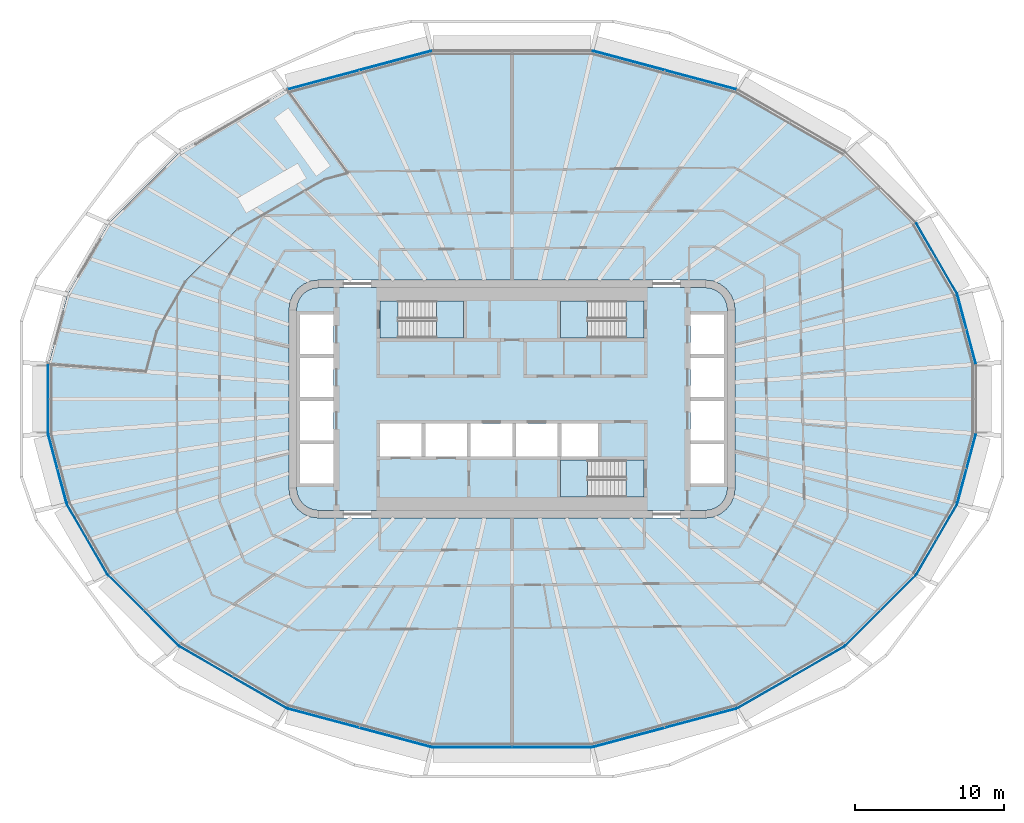
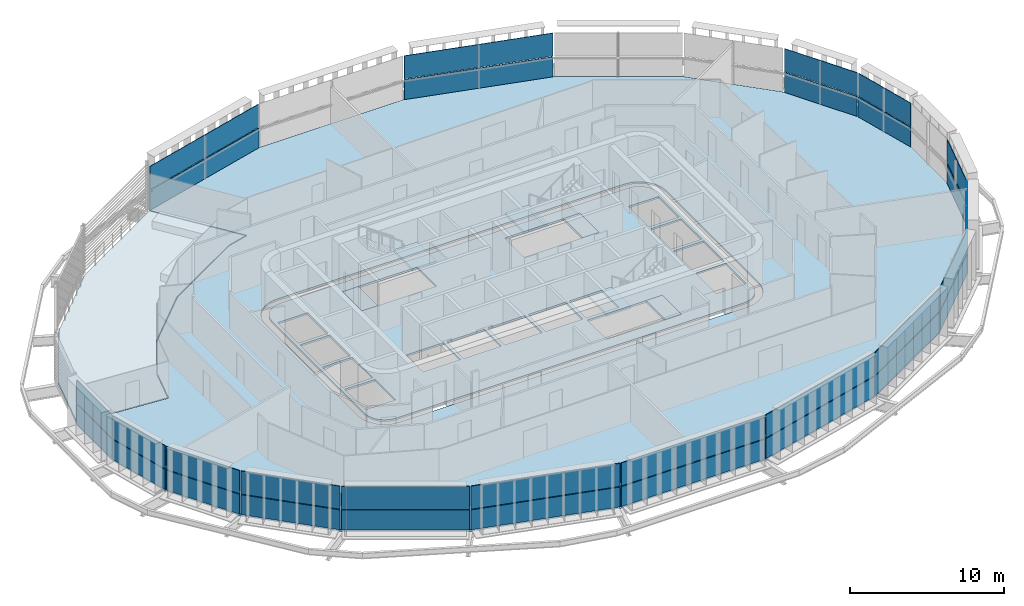
# One storey, part 10 of 23: 32 plates, 9 slabs, 19 elements without a shape of their own.
"""IFC4 building model written with IfcOpenShell, lengths in metres."""

from ifc_helpers import new_model, si_unit, direction, frame, origin, place, context, subcontext, project, spatial, polyline, outline, extrude, material, layer, layer_set, type_object, element, aggregate, save


model = new_model("IFC4")

# Units and contexts
model_context = context("Model", 3, precision=1e-05, world=origin(), true_north=direction((0.0, 1.0)))
body_context = subcontext(model_context, "Body", "Model", "MODEL_VIEW")
ifc_project = project(units=[si_unit("LENGTHUNIT", "METRE"), si_unit("AREAUNIT", "SQUARE_METRE"), si_unit("VOLUMEUNIT", "CUBIC_METRE"), si_unit("PLANEANGLEUNIT", "RADIAN"), si_unit("MASSUNIT", "GRAM", prefix="KILO")], contexts=[model_context])

# Site, building, storey
site_placement = place(None, origin())
site = spatial("IfcSite", under=ifc_project, at=site_placement, CompositionType="ELEMENT")
building_placement = place(site_placement, origin())
building = spatial("IfcBuilding", under=site, at=building_placement, Name="Sahrelin Media Tower", CompositionType="ELEMENT")
storey_placement = place(building_placement, frame((0.0, 0.0, 169.60009765625)))
storey = spatial("IfcBuildingStorey", under=building, at=storey_placement, Name="L35", CompositionType="ELEMENT", Elevation=169.60009765625)

# Slabs
ifc_material_1 = material(Name="Concrete C40/50", Category="concrete")
ifc_layer_1 = layer(ifc_material_1, 0.14990234375)
ifc_layer_set_1 = layer_set([ifc_layer_1], Name="Composite floor slab 150")
slab_type_1 = type_object("IfcSlabType", Name="Composite floor slab 150", PredefinedType="FLOOR", material=ifc_layer_set_1)
placement_1 = place(storey_placement, frame((0.0, 0.0, -0.150146484375)))
element("IfcSlab", 1, at=placement_1, inside=storey, type_object=slab_type_1, Name="Floor slab L35", PredefinedType="FLOOR", context=body_context, shape_type="SweptSolid", body=[
    extrude(outline(polyline([(29.935302734375, -7.037109375), (31.196533203125, -2.329833984375), (31.196533203125, 2.329833984375), (29.935302734375, 7.037109375), (27.162353515625, 11.839599609375), (22.397705078125, 16.604248046875), (15.124267578125, 20.8037109375), (5.40283203125, 23.408447265625), (-5.40283203125, 23.408447265625), (-15.119384765625, 20.804931640625), (-11.038818359375, 15.189697265625), (-12.623046875, 14.76513671875), (-18.4189453125, 11.4189453125), (-21.97705078125, 7.86083984375), (-23.89697265625, 4.535888671875), (-24.619384765625, 1.839599609375), (-31.1962890625, 2.330810546875), (-31.196533203125, 2.329833984375), (-31.196533203125, -2.329833984375), (-29.935302734375, -7.037109375), (-27.162353515625, -11.839599609375), (-22.397705078125, -16.604248046875), (-15.124267578125, -20.8037109375), (-5.40283203125, -23.408447265625), (5.40283203125, -23.408447265625), (15.124267578125, -20.8037109375), (22.397705078125, -16.604248046875), (27.162353515625, -11.839599609375), (29.935302734375, -7.037109375)]), holes=[polyline([(14.732177734375, 7.0), (14.931884765625, 6.517578125), (15.0, 6.0), (15.0, -6.0), (14.931884765625, -6.517578125), (14.732177734375, -7.0), (14.414306640625, -7.414306640625), (14.0, -7.732177734375), (13.517578125, -7.931884765625), (13.0, -8.0), (-13.0, -8.0), (-13.517578125, -7.931884765625), (-14.0, -7.732177734375), (-14.414306640625, -7.414306640625), (-14.732177734375, -7.0), (-14.931884765625, -6.517578125), (-15.0, -6.0), (-15.0, 6.0), (-14.931884765625, 6.517578125), (-14.732177734375, 7.0), (-14.414306640625, 7.414306640625), (-14.0, 7.732177734375), (-13.517578125, 7.931884765625), (-13.0, 8.0), (13.0, 8.0), (13.517578125, 7.931884765625), (14.0, 7.732177734375), (14.414306640625, 7.414306640625), (14.732177734375, 7.0)])]), origin(), (0.0, 0.0, 1.0), 0.150146484375),
])
ifc_layer_2 = layer(ifc_material_1, 0.14990234375)
ifc_layer_set_2 = layer_set([ifc_layer_2], Name="Core floor slab 150")
slab_type_2 = type_object("IfcSlabType", Name="Core floor slab 150", PredefinedType="FLOOR", material=ifc_layer_set_2)
element("IfcSlab", 2, at=placement_1, inside=storey, type_object=slab_type_2, Name="Core floor", PredefinedType="FLOOR", context=body_context, shape_type="SweptSolid", body=[
    extrude(outline(polyline([(-14.44482421875, 6.38720703125), (-14.5, 5.96728515625), (-14.5, -5.96728515625), (-14.44482421875, -6.38720703125), (-14.29541015625, -6.747802734375), (-14.0576171875, -7.0576171875), (-13.747802734375, -7.29541015625), (-13.38720703125, -7.44482421875), (-12.96728515625, -7.5), (12.96728515625, -7.5), (13.38720703125, -7.44482421875), (13.747802734375, -7.29541015625), (14.0576171875, -7.0576171875), (14.29541015625, -6.747802734375), (14.44482421875, -6.38720703125), (14.5, -5.96728515625), (14.5, 5.96728515625), (14.44482421875, 6.38720703125), (14.29541015625, 6.747802734375), (14.0576171875, 7.0576171875), (13.747802734375, 7.29541015625), (13.38720703125, 7.44482421875), (12.96728515625, 7.5), (-12.96728515625, 7.5), (-13.38720703125, 7.44482421875), (-13.747802734375, 7.29541015625), (-14.0576171875, 7.0576171875), (-14.29541015625, 6.747802734375), (-14.44482421875, 6.38720703125)]), holes=[polyline([(-12.0, 3.02490234375), (-12.0, 5.675048828125), (-14.25, 5.675048828125), (-14.25, 3.02490234375), (-12.0, 3.02490234375)]), polyline([(-14.25, 0.125), (-12.0, 0.125), (-12.0, 2.77490234375), (-14.25, 2.77490234375), (-14.25, 0.125)]), polyline([(-14.25, -0.125), (-14.25, -2.77490234375), (-12.0, -2.77490234375), (-12.0, -0.125), (-14.25, -0.125)]), polyline([(-12.0, -3.02490234375), (-14.25, -3.02490234375), (-14.25, -5.675048828125), (-12.0, -5.675048828125), (-12.0, -3.02490234375)]), polyline([(14.25, 3.02490234375), (14.25, 5.675048828125), (12.0, 5.675048828125), (12.0, 3.02490234375), (14.25, 3.02490234375)]), polyline([(12.0, 0.125), (14.25, 0.125), (14.25, 2.77490234375), (12.0, 2.77490234375), (12.0, 0.125)]), polyline([(12.0, -0.125), (12.0, -2.77490234375), (14.25, -2.77490234375), (14.25, -0.125), (12.0, -0.125)]), polyline([(14.25, -3.02490234375), (12.0, -3.02490234375), (12.0, -5.675048828125), (14.25, -5.675048828125), (14.25, -3.02490234375)]), polyline([(-6.074951171875, -3.85009765625), (-6.074951171875, -1.64990234375), (-8.875, -1.64990234375), (-8.875, -3.85009765625), (-6.074951171875, -3.85009765625)]), polyline([(-5.824951171875, -3.85009765625), (-3.02490234375, -3.85009765625), (-3.02490234375, -1.64990234375), (-5.824951171875, -1.64990234375), (-5.824951171875, -3.85009765625)]), polyline([(-2.77490234375, -1.64990234375), (-2.77490234375, -3.85009765625), (0.02490234375, -3.85009765625), (0.02490234375, -1.64990234375), (-2.77490234375, -1.64990234375)]), polyline([(3.074951171875, -1.64990234375), (0.27490234375, -1.64990234375), (0.27490234375, -3.85009765625), (3.074951171875, -3.85009765625), (3.074951171875, -1.64990234375)]), polyline([(5.77490234375, -3.85009765625), (5.77490234375, -1.64990234375), (3.324951171875, -1.64990234375), (3.324951171875, -3.85009765625), (5.77490234375, -3.85009765625)]), polyline([(-8.875, 6.60009765625), (-8.875, 4.10009765625), (-3.27490234375, 4.10009765625), (-3.27490234375, 6.60009765625), (-8.875, 6.60009765625)]), polyline([(3.27490234375, 4.10009765625), (8.875, 4.10009765625), (8.875, 6.60009765625), (3.27490234375, 6.60009765625), (3.27490234375, 4.10009765625)]), polyline([(3.27490234375, -4.10009765625), (3.27490234375, -6.60009765625), (8.875, -6.60009765625), (8.875, -4.10009765625), (3.27490234375, -4.10009765625)])]), origin(), (0.0, 0.0, 1.0), 0.150146484375),
])

# Curtain wall, plate
ifc_material_2 = material(Name="Champagne anodised aluminium 6063-T6", Category="aluminium")
ifc_layer_3 = layer(ifc_material_2, 0.14990234375)
ifc_layer_set_3 = layer_set([ifc_layer_3], Name="Tower ribbon curtain wall")
curtain_wall_type = type_object("IfcCurtainWallType", Name="Tower ribbon curtain wall", PredefinedType="NOTDEFINED", material=ifc_layer_set_3)
curtain_wall_1_placement = place(storey_placement, frame((30.585205078125, 4.6884765625, 0.0), z_axis=(0.0, 0.0, 1.0), x_axis=(1.0, 0.0, 0.0)))
curtain_wall_1 = element("IfcCurtainWall", 3, at=curtain_wall_1_placement, inside=storey, type_object=curtain_wall_type, Name="L35:CW:L35-01", PredefinedType="NOTDEFINED")
ifc_material_3 = material(Name="Clear low-iron glazing", Category="glass")
ifc_layer_4 = layer(ifc_material_3, 0.0439453125)
ifc_layer_set_4 = layer_set([ifc_layer_4], Name="Glazing panel 44 mm CW1B")
plate_type_1 = type_object("IfcPlateType", Name="Glazing panel 44 mm CW1B", PredefinedType="CURTAIN_PANEL", material=ifc_layer_set_4)
plate_1_placement = place(storey_placement, frame((31.222900390625, 2.385986328125, 1.6298828125), z_axis=(0.965923877555, 0.258826317767, 0.0), x_axis=(-0.258826317767, 0.965923877555, 0.0)))
plate_1 = element("IfcPlate", 4, at=plate_1_placement, type_object=plate_type_1, Name="L35:CWP2:L35-01", PredefinedType="CURTAIN_PANEL", context=body_context, shape_type="SweptSolid", body=[
    extrude(outline(polyline([(0.0, 0.0), (4.778564453125, 0.0), (4.778564453125, 1.818603515625), (0.0, 1.818603515625), (0.0, 0.0)])), origin(), (0.0, 0.0, -1.0), 0.0439453125),
])

curtain_wall_2_placement = place(storey_placement, frame((28.566162109375, 9.4482421875, 0.0), z_axis=(0.0, 0.0, 1.0), x_axis=(1.0, 0.0, 0.0)))
curtain_wall_2 = element("IfcCurtainWall", 5, at=curtain_wall_2_placement, inside=storey, type_object=curtain_wall_type, Name="L35:CW:L35-02", PredefinedType="NOTDEFINED")
plate_2_placement = place(storey_placement, frame((29.9462890625, 7.097900390625, 1.6298828125), z_axis=(0.86601851515, 0.500011931275, 0.0), x_axis=(-0.500011931275, 0.86601851515, 0.0)))
plate_2 = element("IfcPlate", 6, at=plate_2_placement, type_object=plate_type_1, Name="L35:CWP2:L35-02", PredefinedType="CURTAIN_PANEL", context=body_context, shape_type="SweptSolid", body=[
    extrude(outline(polyline([(0.0, 0.0), (5.450927734375, 0.0), (5.450927734375, 1.818603515625), (0.0, 1.818603515625), (0.0, 0.0)])), origin(), (0.0, 0.0, -1.0), 0.0439453125),
])

curtain_wall_3_placement = place(storey_placement, frame((10.268798828125, 22.125244140625, 0.0), z_axis=(0.0, 0.0, 1.0), x_axis=(1.0, 0.0, 0.0)))
curtain_wall_3 = element("IfcCurtainWall", 7, at=curtain_wall_3_placement, inside=storey, type_object=curtain_wall_type, Name="L35:CW:L35-05", PredefinedType="NOTDEFINED")
plate_3_placement = place(storey_placement, frame((15.0888671875, 20.8544921875, 1.6298828125), z_axis=(0.258819320508, 0.965925752494, 0.0), x_axis=(-0.965925752494, 0.258819320508, 0.0)))
plate_3 = element("IfcPlate", 8, at=plate_3_placement, type_object=plate_type_1, Name="L35:CWP2:L35-05", PredefinedType="CURTAIN_PANEL", context=body_context, shape_type="SweptSolid", body=[
    extrude(outline(polyline([(0.0, 0.0), (9.969482421875, 0.0), (9.969482421875, 1.818603515625), (0.0, 1.818603515625), (0.0, 0.0)])), origin(), (0.0, 0.0, -1.0), 0.0439453125),
])

curtain_wall_4_placement = place(storey_placement, frame((-10.268798828125, 22.12548828125, 0.0), z_axis=(0.0, 0.0, 1.0), x_axis=(1.0, 0.0, 0.0)))
curtain_wall_4 = element("IfcCurtainWall", 9, at=curtain_wall_4_placement, inside=storey, type_object=curtain_wall_type, Name="L35:CW:L35-07", PredefinedType="NOTDEFINED")
plate_4_placement = place(storey_placement, frame((-5.458984375, 23.434814453125, 1.6298828125), z_axis=(-0.258819320508, 0.965925752494, 0.0), x_axis=(-0.965925752494, -0.258819320508, 0.0)))
plate_4 = element("IfcPlate", 10, at=plate_4_placement, type_object=plate_type_1, Name="L35:CWP2:L35-07", PredefinedType="CURTAIN_PANEL", context=body_context, shape_type="SweptSolid", body=[
    extrude(outline(polyline([(0.0, 0.0), (9.969482421875, 0.0), (9.969482421875, 1.818603515625), (0.0, 1.818603515625), (0.0, 0.0)])), origin(), (0.0, 0.0, -1.0), 0.0439453125),
])

curtain_wall_5_placement = place(storey_placement, frame((-31.216552734375, 0.0, 0.0), z_axis=(0.0, 0.0, 1.0), x_axis=(1.0, 0.0, 0.0)))
curtain_wall_5 = element("IfcCurtainWall", 11, at=curtain_wall_5_placement, inside=storey, type_object=curtain_wall_type, Name="L35:CW:L35-12", PredefinedType="NOTDEFINED")
plate_5_placement = place(storey_placement, frame((-31.236572265625, 2.282470703125, 1.6298828125), z_axis=(-1.0, 0.0, 0.0), x_axis=(0.0, -1.0, 0.0)))
plate_5 = element("IfcPlate", 12, at=plate_5_placement, type_object=plate_type_1, Name="L35:CWP2:L35-12", PredefinedType="CURTAIN_PANEL", context=body_context, shape_type="SweptSolid", body=[
    extrude(outline(polyline([(0.0, 0.0), (4.56494140625, 0.0), (4.56494140625, 1.818603515625), (0.0, 1.818603515625), (0.0, 0.0)])), origin(), (0.0, 0.0, -1.0), 0.0439453125),
])

curtain_wall_6_placement = place(storey_placement, frame((-30.585205078125, -4.6884765625, 0.0), z_axis=(0.0, 0.0, 1.0), x_axis=(1.0, 0.0, 0.0)))
curtain_wall_6 = element("IfcCurtainWall", 13, at=curtain_wall_6_placement, inside=storey, type_object=curtain_wall_type, Name="L35:CW:L35-13", PredefinedType="NOTDEFINED")
plate_6_placement = place(storey_placement, frame((-31.222900390625, -2.385986328125, 1.6298828125), z_axis=(-0.965923877555, -0.258826317767, 0.0), x_axis=(0.258826317767, -0.965923877555, 0.0)))
plate_6 = element("IfcPlate", 14, at=plate_6_placement, type_object=plate_type_1, Name="L35:CWP2:L35-13", PredefinedType="CURTAIN_PANEL", context=body_context, shape_type="SweptSolid", body=[
    extrude(outline(polyline([(0.0, 0.0), (4.778564453125, 0.0), (4.778564453125, 1.818603515625), (0.0, 1.818603515625), (0.0, 0.0)])), origin(), (0.0, 0.0, -1.0), 0.0439453125),
])

curtain_wall_7_placement = place(storey_placement, frame((-28.566162109375, -9.4482421875, 0.0), z_axis=(0.0, 0.0, 1.0), x_axis=(1.0, 0.0, 0.0)))
curtain_wall_7 = element("IfcCurtainWall", 15, at=curtain_wall_7_placement, inside=storey, type_object=curtain_wall_type, Name="L35:CW:L35-14", PredefinedType="NOTDEFINED")
plate_7_placement = place(storey_placement, frame((-29.9462890625, -7.097900390625, 1.6298828125), z_axis=(-0.86601851515, -0.500011931275, 0.0), x_axis=(0.500011931275, -0.86601851515, 0.0)))
plate_7 = element("IfcPlate", 16, at=plate_7_placement, type_object=plate_type_1, Name="L35:CWP2:L35-14", PredefinedType="CURTAIN_PANEL", context=body_context, shape_type="SweptSolid", body=[
    extrude(outline(polyline([(0.0, 0.0), (5.450927734375, 0.0), (5.450927734375, 1.818603515625), (0.0, 1.818603515625), (0.0, 0.0)])), origin(), (0.0, 0.0, -1.0), 0.0439453125),
])

curtain_wall_8_placement = place(storey_placement, frame((-24.794189453125, -14.236083984375, 0.0), z_axis=(0.0, 0.0, 1.0), x_axis=(1.0, 0.0, 0.0)))
curtain_wall_8 = element("IfcCurtainWall", 17, at=curtain_wall_8_placement, inside=storey, type_object=curtain_wall_type, Name="L35:CW:L35-15", PredefinedType="NOTDEFINED")
plate_8_placement = place(storey_placement, frame((-27.1572265625, -11.9013671875, 1.6298828125), z_axis=(-0.707106781187, -0.707106781187, 0.0), x_axis=(0.707106781187, -0.707106781187, 0.0)))
plate_8 = element("IfcPlate", 18, at=plate_8_placement, type_object=plate_type_1, Name="L35:CWP2:L35-15", PredefinedType="CURTAIN_PANEL", context=body_context, shape_type="SweptSolid", body=[
    extrude(outline(polyline([(0.0, 0.0), (6.6435546875, 0.0), (6.6435546875, 1.818603515625), (0.0, 1.818603515625), (0.0, 0.0)])), origin(), (0.0, 0.0, -1.0), 0.0439453125),
])

curtain_wall_9_placement = place(storey_placement, frame((-18.77099609375, -18.72119140625, 0.0), z_axis=(0.0, 0.0, 1.0), x_axis=(1.0, 0.0, 0.0)))
curtain_wall_9 = element("IfcCurtainWall", 19, at=curtain_wall_9_placement, inside=storey, type_object=curtain_wall_type, Name="L35:CW:L35-16", PredefinedType="NOTDEFINED")
plate_9_placement = place(storey_placement, frame((-22.376708984375, -16.66259765625, 1.6298828125), z_axis=(-0.499990528583, -0.866030872041, 0.0), x_axis=(0.866030872041, -0.499990528583, 0.0)))
plate_9 = element("IfcPlate", 20, at=plate_9_placement, type_object=plate_type_1, Name="L35:CWP2:L35-16", PredefinedType="CURTAIN_PANEL", context=body_context, shape_type="SweptSolid", body=[
    extrude(outline(polyline([(0.0, 0.0), (8.303955078125, 0.0), (8.303955078125, 1.818603515625), (0.0, 1.818603515625), (0.0, 0.0)])), origin(), (0.0, 0.0, -1.0), 0.0439453125),
])

curtain_wall_10_placement = place(storey_placement, frame((-10.268798828125, -22.125244140625, 0.0), z_axis=(0.0, 0.0, 1.0), x_axis=(1.0, 0.0, 0.0)))
curtain_wall_10 = element("IfcCurtainWall", 21, at=curtain_wall_10_placement, inside=storey, type_object=curtain_wall_type, Name="L35:CW:L35-17", PredefinedType="NOTDEFINED")
plate_10_placement = place(storey_placement, frame((-15.0888671875, -20.8544921875, 1.6298828125), z_axis=(-0.258819320508, -0.965925752494, 0.0), x_axis=(0.965925752494, -0.258819320508, 0.0)))
plate_10 = element("IfcPlate", 22, at=plate_10_placement, type_object=plate_type_1, Name="L35:CWP2:L35-17", PredefinedType="CURTAIN_PANEL", context=body_context, shape_type="SweptSolid", body=[
    extrude(outline(polyline([(0.0, 0.0), (9.969482421875, 0.0), (9.969482421875, 1.818603515625), (0.0, 1.818603515625), (0.0, 0.0)])), origin(), (0.0, 0.0, -1.0), 0.0439453125),
])

curtain_wall_11_placement = place(storey_placement, frame((0.0, -23.428466796875, 0.0), z_axis=(0.0, 0.0, 1.0), x_axis=(1.0, 0.0, 0.0)))
curtain_wall_11 = element("IfcCurtainWall", 23, at=curtain_wall_11_placement, inside=storey, type_object=curtain_wall_type, Name="L35:CW:L35-18", PredefinedType="NOTDEFINED")
plate_11_placement = place(storey_placement, frame((-5.35546875, -23.448486328125, 1.6298828125), z_axis=(0.0, -1.0, 0.0), x_axis=(1.0, 0.0, 0.0)))
plate_11 = element("IfcPlate", 24, at=plate_11_placement, type_object=plate_type_1, Name="L35:CWP2:L35-18", PredefinedType="CURTAIN_PANEL", context=body_context, shape_type="SweptSolid", body=[
    extrude(outline(polyline([(0.0, 0.0), (10.7109375, 0.0), (10.7109375, 1.818603515625), (0.0, 1.818603515625), (0.0, 0.0)])), origin(), (0.0, 0.0, -1.0), 0.0439453125),
])

curtain_wall_12_placement = place(storey_placement, frame((10.268798828125, -22.12548828125, 0.0), z_axis=(0.0, 0.0, 1.0), x_axis=(1.0, 0.0, 0.0)))
curtain_wall_12 = element("IfcCurtainWall", 25, at=curtain_wall_12_placement, inside=storey, type_object=curtain_wall_type, Name="L35:CW:L35-19", PredefinedType="NOTDEFINED")
plate_12_placement = place(storey_placement, frame((5.458984375, -23.434814453125, 1.6298828125), z_axis=(0.258819320508, -0.965925752494, 0.0), x_axis=(0.965925752494, 0.258819320508, 0.0)))
plate_12 = element("IfcPlate", 26, at=plate_12_placement, type_object=plate_type_1, Name="L35:CWP2:L35-19", PredefinedType="CURTAIN_PANEL", context=body_context, shape_type="SweptSolid", body=[
    extrude(outline(polyline([(0.0, 0.0), (9.969482421875, 0.0), (9.969482421875, 1.818603515625), (0.0, 1.818603515625), (0.0, 0.0)])), origin(), (0.0, 0.0, -1.0), 0.0439453125),
])

curtain_wall_13_placement = place(storey_placement, frame((18.77099609375, -18.72119140625, 0.0), z_axis=(0.0, 0.0, 1.0), x_axis=(1.0, 0.0, 0.0)))
curtain_wall_13 = element("IfcCurtainWall", 27, at=curtain_wall_13_placement, inside=storey, type_object=curtain_wall_type, Name="L35:CW:L35-20", PredefinedType="NOTDEFINED")
plate_13_placement = place(storey_placement, frame((15.185302734375, -20.814453125, 1.6298828125), z_axis=(0.499990528583, -0.866030872041, 0.0), x_axis=(0.866030872041, 0.499990528583, 0.0)))
plate_13 = element("IfcPlate", 28, at=plate_13_placement, type_object=plate_type_1, Name="L35:CWP2:L35-20", PredefinedType="CURTAIN_PANEL", context=body_context, shape_type="SweptSolid", body=[
    extrude(outline(polyline([(0.0, 0.0), (8.303955078125, 0.0), (8.303955078125, 1.818603515625), (0.0, 1.818603515625), (0.0, 0.0)])), origin(), (0.0, 0.0, -1.0), 0.0439453125),
])

curtain_wall_14_placement = place(storey_placement, frame((24.794189453125, -14.236083984375, 0.0), z_axis=(0.0, 0.0, 1.0), x_axis=(1.0, 0.0, 0.0)))
curtain_wall_14 = element("IfcCurtainWall", 29, at=curtain_wall_14_placement, inside=storey, type_object=curtain_wall_type, Name="L35:CW:L35-21", PredefinedType="NOTDEFINED")
plate_14_placement = place(storey_placement, frame((22.45947265625, -16.59912109375, 1.6298828125), z_axis=(0.707106781187, -0.707106781187, 0.0), x_axis=(0.707106781187, 0.707106781187, 0.0)))
plate_14 = element("IfcPlate", 30, at=plate_14_placement, type_object=plate_type_1, Name="L35:CWP2:L35-21", PredefinedType="CURTAIN_PANEL", context=body_context, shape_type="SweptSolid", body=[
    extrude(outline(polyline([(0.0, 0.0), (6.6435546875, 0.0), (6.6435546875, 1.818603515625), (0.0, 1.818603515625), (0.0, 0.0)])), origin(), (0.0, 0.0, -1.0), 0.0439453125),
])

curtain_wall_15_placement = place(storey_placement, frame((28.566162109375, -9.4482421875, 0.0), z_axis=(0.0, 0.0, 1.0), x_axis=(1.0, 0.0, 0.0)))
curtain_wall_15 = element("IfcCurtainWall", 31, at=curtain_wall_15_placement, inside=storey, type_object=curtain_wall_type, Name="L35:CW:L35-22", PredefinedType="NOTDEFINED")
plate_15_placement = place(storey_placement, frame((27.220703125, -11.818603515625, 1.6298828125), z_axis=(0.86601851515, -0.500011931275, 0.0), x_axis=(0.500011931275, 0.86601851515, 0.0)))
plate_15 = element("IfcPlate", 32, at=plate_15_placement, type_object=plate_type_1, Name="L35:CWP2:L35-22", PredefinedType="CURTAIN_PANEL", context=body_context, shape_type="SweptSolid", body=[
    extrude(outline(polyline([(0.0, 0.0), (5.450927734375, 0.0), (5.450927734375, 1.818603515625), (0.0, 1.818603515625), (0.0, 0.0)])), origin(), (0.0, 0.0, -1.0), 0.0439453125),
])

curtain_wall_16_placement = place(storey_placement, frame((30.585205078125, -4.6884765625, 0.0), z_axis=(0.0, 0.0, 1.0), x_axis=(1.0, 0.0, 0.0)))
curtain_wall_16 = element("IfcCurtainWall", 33, at=curtain_wall_16_placement, inside=storey, type_object=curtain_wall_type, Name="L35:CW:L35-23", PredefinedType="NOTDEFINED")
plate_16_placement = place(storey_placement, frame((29.986083984375, -7.001708984375, 1.6298828125), z_axis=(0.965923877555, -0.258826317767, 0.0), x_axis=(0.258826317767, 0.965923877555, 0.0)))
plate_16 = element("IfcPlate", 34, at=plate_16_placement, type_object=plate_type_1, Name="L35:CWP2:L35-23", PredefinedType="CURTAIN_PANEL", context=body_context, shape_type="SweptSolid", body=[
    extrude(outline(polyline([(0.0, 0.0), (4.778564453125, 0.0), (4.778564453125, 1.818603515625), (0.0, 1.818603515625), (0.0, 0.0)])), origin(), (0.0, 0.0, -1.0), 0.0439453125),
])

# Slab
ifc_layer_5 = layer(ifc_material_1, 0.199951171875)
ifc_layer_set_5 = layer_set([ifc_layer_5], Name="Sky garden terrace slab")
slab_type_3 = type_object("IfcSlabType", Name="Sky garden terrace slab", PredefinedType="FLOOR", material=ifc_layer_set_5)
placement_2 = place(storey_placement, frame((0.0, 0.0, -0.2001953125)))
element("IfcSlab", 35, at=placement_2, inside=storey, type_object=slab_type_3, Name="Sky garden terrace G3", PredefinedType="FLOOR", context=body_context, shape_type="SweptSolid", body=[
    extrude(outline(polyline([(-27.138427734375, 11.8212890625), (-22.37939453125, 16.580322265625), (-15.14599609375, 20.75634765625), (-11.121826171875, 15.21923828125), (-12.642333984375, 14.811767578125), (-18.44970703125, 11.458984375), (-22.01708984375, 7.8916015625), (-23.943603515625, 4.55517578125), (-24.656982421875, 1.892333984375), (-31.152587890625, 2.377685546875), (-29.9072265625, 7.025390625), (-27.138427734375, 11.8212890625)])), origin(), (0.0, 0.0, 1.0), 0.2001953125),
])

# Plate
ifc_material_4 = material(Name="Insulated spandrel panel")
ifc_layer_6 = layer(ifc_material_4, 0.06005859375)
ifc_layer_set_6 = layer_set([ifc_layer_6], Name="Spandrel panel 60 mm CW1")
plate_type_2 = type_object("IfcPlateType", Name="Spandrel panel 60 mm CW1", PredefinedType="SHEET", material=ifc_layer_set_6)
plate_17_placement = place(storey_placement, frame((31.222900390625, 2.385986328125, 0.0), z_axis=(0.965923877555, 0.258826317767, 0.0), x_axis=(-0.258826317767, 0.965923877555, 0.0)))
plate_17 = element("IfcPlate", 36, at=plate_17_placement, type_object=plate_type_2, Name="L35:CWP1:L35-01", PredefinedType="SHEET", context=body_context, shape_type="SweptSolid", body=[
    extrude(outline(polyline([(0.0, 0.0), (4.778564453125, 0.0), (4.778564453125, 1.56982421875), (0.0, 1.56982421875), (0.0, 0.0)])), origin(), (0.0, 0.0, -1.0), 0.06005859375),
])

aggregate(curtain_wall_1, [plate_17, plate_1])

plate_18_placement = place(storey_placement, frame((29.9462890625, 7.097900390625, 0.0), z_axis=(0.86601851515, 0.500011931275, 0.0), x_axis=(-0.500011931275, 0.86601851515, 0.0)))
plate_18 = element("IfcPlate", 37, at=plate_18_placement, type_object=plate_type_2, Name="L35:CWP1:L35-02", PredefinedType="SHEET", context=body_context, shape_type="SweptSolid", body=[
    extrude(outline(polyline([(0.0, 0.0), (5.450927734375, 0.0), (5.450927734375, 1.56982421875), (0.0, 1.56982421875), (0.0, 0.0)])), origin(), (0.0, 0.0, -1.0), 0.06005859375),
])

aggregate(curtain_wall_2, [plate_18, plate_2])

plate_19_placement = place(storey_placement, frame((15.0888671875, 20.8544921875, 0.0), z_axis=(0.258819320508, 0.965925752494, 0.0), x_axis=(-0.965925752494, 0.258819320508, 0.0)))
plate_19 = element("IfcPlate", 38, at=plate_19_placement, type_object=plate_type_2, Name="L35:CWP1:L35-05", PredefinedType="SHEET", context=body_context, shape_type="SweptSolid", body=[
    extrude(outline(polyline([(0.0, 0.0), (9.969482421875, 0.0), (9.969482421875, 1.56982421875), (0.0, 1.56982421875), (0.0, 0.0)])), origin(), (0.0, 0.0, -1.0), 0.06005859375),
])

aggregate(curtain_wall_3, [plate_19, plate_3])

plate_20_placement = place(storey_placement, frame((-5.458984375, 23.434814453125, 0.0), z_axis=(-0.258819320508, 0.965925752494, 0.0), x_axis=(-0.965925752494, -0.258819320508, 0.0)))
plate_20 = element("IfcPlate", 39, at=plate_20_placement, type_object=plate_type_2, Name="L35:CWP1:L35-07", PredefinedType="SHEET", context=body_context, shape_type="SweptSolid", body=[
    extrude(outline(polyline([(0.0, 0.0), (9.969482421875, 0.0), (9.969482421875, 1.56982421875), (0.0, 1.56982421875), (0.0, 0.0)])), origin(), (0.0, 0.0, -1.0), 0.06005859375),
])

aggregate(curtain_wall_4, [plate_20, plate_4])

plate_21_placement = place(storey_placement, frame((-31.236572265625, 2.282470703125, 0.0), z_axis=(-1.0, 0.0, 0.0), x_axis=(0.0, -1.0, 0.0)))
plate_21 = element("IfcPlate", 40, at=plate_21_placement, type_object=plate_type_2, Name="L35:CWP1:L35-12", PredefinedType="SHEET", context=body_context, shape_type="SweptSolid", body=[
    extrude(outline(polyline([(0.0, 0.0), (4.56494140625, 0.0), (4.56494140625, 1.56982421875), (0.0, 1.56982421875), (0.0, 0.0)])), origin(), (0.0, 0.0, -1.0), 0.06005859375),
])

aggregate(curtain_wall_5, [plate_21, plate_5])

plate_22_placement = place(storey_placement, frame((-31.222900390625, -2.385986328125, 0.0), z_axis=(-0.965923877555, -0.258826317767, 0.0), x_axis=(0.258826317767, -0.965923877555, 0.0)))
plate_22 = element("IfcPlate", 41, at=plate_22_placement, type_object=plate_type_2, Name="L35:CWP1:L35-13", PredefinedType="SHEET", context=body_context, shape_type="SweptSolid", body=[
    extrude(outline(polyline([(0.0, 0.0), (4.778564453125, 0.0), (4.778564453125, 1.56982421875), (0.0, 1.56982421875), (0.0, 0.0)])), origin(), (0.0, 0.0, -1.0), 0.06005859375),
])

aggregate(curtain_wall_6, [plate_22, plate_6])

plate_23_placement = place(storey_placement, frame((-29.9462890625, -7.097900390625, 0.0), z_axis=(-0.86601851515, -0.500011931275, 0.0), x_axis=(0.500011931275, -0.86601851515, 0.0)))
plate_23 = element("IfcPlate", 42, at=plate_23_placement, type_object=plate_type_2, Name="L35:CWP1:L35-14", PredefinedType="SHEET", context=body_context, shape_type="SweptSolid", body=[
    extrude(outline(polyline([(0.0, 0.0), (5.450927734375, 0.0), (5.450927734375, 1.56982421875), (0.0, 1.56982421875), (0.0, 0.0)])), origin(), (0.0, 0.0, -1.0), 0.06005859375),
])

aggregate(curtain_wall_7, [plate_23, plate_7])

plate_24_placement = place(storey_placement, frame((-27.1572265625, -11.9013671875, 0.0), z_axis=(-0.707106781187, -0.707106781187, 0.0), x_axis=(0.707106781187, -0.707106781187, 0.0)))
plate_24 = element("IfcPlate", 43, at=plate_24_placement, type_object=plate_type_2, Name="L35:CWP1:L35-15", PredefinedType="SHEET", context=body_context, shape_type="SweptSolid", body=[
    extrude(outline(polyline([(0.0, 0.0), (6.6435546875, 0.0), (6.6435546875, 1.56982421875), (0.0, 1.56982421875), (0.0, 0.0)])), origin(), (0.0, 0.0, -1.0), 0.06005859375),
])

aggregate(curtain_wall_8, [plate_24, plate_8])

plate_25_placement = place(storey_placement, frame((-22.376708984375, -16.66259765625, 0.0), z_axis=(-0.499990528583, -0.866030872041, 0.0), x_axis=(0.866030872041, -0.499990528583, 0.0)))
plate_25 = element("IfcPlate", 44, at=plate_25_placement, type_object=plate_type_2, Name="L35:CWP1:L35-16", PredefinedType="SHEET", context=body_context, shape_type="SweptSolid", body=[
    extrude(outline(polyline([(0.0, 0.0), (8.303955078125, 0.0), (8.303955078125, 1.56982421875), (0.0, 1.56982421875), (0.0, 0.0)])), origin(), (0.0, 0.0, -1.0), 0.06005859375),
])

aggregate(curtain_wall_9, [plate_25, plate_9])

plate_26_placement = place(storey_placement, frame((-15.0888671875, -20.8544921875, 0.0), z_axis=(-0.258819320508, -0.965925752494, 0.0), x_axis=(0.965925752494, -0.258819320508, 0.0)))
plate_26 = element("IfcPlate", 45, at=plate_26_placement, type_object=plate_type_2, Name="L35:CWP1:L35-17", PredefinedType="SHEET", context=body_context, shape_type="SweptSolid", body=[
    extrude(outline(polyline([(0.0, 0.0), (9.969482421875, 0.0), (9.969482421875, 1.56982421875), (0.0, 1.56982421875), (0.0, 0.0)])), origin(), (0.0, 0.0, -1.0), 0.06005859375),
])

aggregate(curtain_wall_10, [plate_26, plate_10])

plate_27_placement = place(storey_placement, frame((-5.35546875, -23.448486328125, 0.0), z_axis=(0.0, -1.0, 0.0), x_axis=(1.0, 0.0, 0.0)))
plate_27 = element("IfcPlate", 46, at=plate_27_placement, type_object=plate_type_2, Name="L35:CWP1:L35-18", PredefinedType="SHEET", context=body_context, shape_type="SweptSolid", body=[
    extrude(outline(polyline([(0.0, 0.0), (10.7109375, 0.0), (10.7109375, 1.56982421875), (0.0, 1.56982421875), (0.0, 0.0)])), origin(), (0.0, 0.0, -1.0), 0.06005859375),
])

aggregate(curtain_wall_11, [plate_27, plate_11])

plate_28_placement = place(storey_placement, frame((5.458984375, -23.434814453125, 0.0), z_axis=(0.258819320508, -0.965925752494, 0.0), x_axis=(0.965925752494, 0.258819320508, 0.0)))
plate_28 = element("IfcPlate", 47, at=plate_28_placement, type_object=plate_type_2, Name="L35:CWP1:L35-19", PredefinedType="SHEET", context=body_context, shape_type="SweptSolid", body=[
    extrude(outline(polyline([(0.0, 0.0), (9.969482421875, 0.0), (9.969482421875, 1.56982421875), (0.0, 1.56982421875), (0.0, 0.0)])), origin(), (0.0, 0.0, -1.0), 0.06005859375),
])

aggregate(curtain_wall_12, [plate_28, plate_12])

plate_29_placement = place(storey_placement, frame((15.185302734375, -20.814453125, 0.0), z_axis=(0.499990528583, -0.866030872041, 0.0), x_axis=(0.866030872041, 0.499990528583, 0.0)))
plate_29 = element("IfcPlate", 48, at=plate_29_placement, type_object=plate_type_2, Name="L35:CWP1:L35-20", PredefinedType="SHEET", context=body_context, shape_type="SweptSolid", body=[
    extrude(outline(polyline([(0.0, 0.0), (8.303955078125, 0.0), (8.303955078125, 1.56982421875), (0.0, 1.56982421875), (0.0, 0.0)])), origin(), (0.0, 0.0, -1.0), 0.06005859375),
])

aggregate(curtain_wall_13, [plate_29, plate_13])

plate_30_placement = place(storey_placement, frame((22.45947265625, -16.59912109375, 0.0), z_axis=(0.707106781187, -0.707106781187, 0.0), x_axis=(0.707106781187, 0.707106781187, 0.0)))
plate_30 = element("IfcPlate", 49, at=plate_30_placement, type_object=plate_type_2, Name="L35:CWP1:L35-21", PredefinedType="SHEET", context=body_context, shape_type="SweptSolid", body=[
    extrude(outline(polyline([(0.0, 0.0), (6.6435546875, 0.0), (6.6435546875, 1.56982421875), (0.0, 1.56982421875), (0.0, 0.0)])), origin(), (0.0, 0.0, -1.0), 0.06005859375),
])

aggregate(curtain_wall_14, [plate_30, plate_14])

plate_31_placement = place(storey_placement, frame((27.220703125, -11.818603515625, 0.0), z_axis=(0.86601851515, -0.500011931275, 0.0), x_axis=(0.500011931275, 0.86601851515, 0.0)))
plate_31 = element("IfcPlate", 50, at=plate_31_placement, type_object=plate_type_2, Name="L35:CWP1:L35-22", PredefinedType="SHEET", context=body_context, shape_type="SweptSolid", body=[
    extrude(outline(polyline([(0.0, 0.0), (5.450927734375, 0.0), (5.450927734375, 1.56982421875), (0.0, 1.56982421875), (0.0, 0.0)])), origin(), (0.0, 0.0, -1.0), 0.06005859375),
])

aggregate(curtain_wall_15, [plate_31, plate_15])

plate_32_placement = place(storey_placement, frame((29.986083984375, -7.001708984375, 0.0), z_axis=(0.965923877555, -0.258826317767, 0.0), x_axis=(0.258826317767, 0.965923877555, 0.0)))
plate_32 = element("IfcPlate", 51, at=plate_32_placement, type_object=plate_type_2, Name="L35:CWP1:L35-23", PredefinedType="SHEET", context=body_context, shape_type="SweptSolid", body=[
    extrude(outline(polyline([(0.0, 0.0), (4.778564453125, 0.0), (4.778564453125, 1.56982421875), (0.0, 1.56982421875), (0.0, 0.0)])), origin(), (0.0, 0.0, -1.0), 0.06005859375),
])

aggregate(curtain_wall_16, [plate_32, plate_16])

# Stair, slabs
stair_type = type_object("IfcStairType", Name="Exit stair 1200", PredefinedType="HALF_TURN_STAIR", material=ifc_material_1)
placement_3 = place(storey_placement, origin())
stair_1 = element("IfcStair", 52, at=placement_3, inside=storey, type_object=stair_type, Name="L35 Exit stair ST1", PredefinedType="HALF_TURN_STAIR")
ifc_layer_7 = layer(ifc_material_1, 0.199951171875)
ifc_layer_set_7 = layer_set([ifc_layer_7], Name="Stair landing 200")
slab_type_4 = type_object("IfcSlabType", Name="Stair landing 200", PredefinedType="LANDING", material=ifc_layer_set_7)
placement_4 = place(storey_placement, frame((0.0, 0.0, 1.7998046875)))
slab_4 = element("IfcSlab", 53, at=placement_4, type_object=slab_type_4, Name="ST1 landing 1", PredefinedType="LANDING", context=body_context, shape_type="SweptSolid", body=[
    extrude(outline(polyline([(-5.074951171875, 4.10009765625), (-3.27490234375, 4.10009765625), (-3.27490234375, 6.60009765625), (-5.074951171875, 6.60009765625), (-5.074951171875, 4.10009765625)])), origin(), (0.0, 0.0, 1.0), 0.2001953125),
])
slab_5 = element("IfcSlab", 54, at=placement_2, type_object=slab_type_4, Name="ST1 landing 2", PredefinedType="LANDING", context=body_context, shape_type="SweptSolid", body=[
    extrude(outline(polyline([(-8.875, 4.10009765625), (-7.675048828125, 4.10009765625), (-7.675048828125, 6.60009765625), (-8.875, 6.60009765625), (-8.875, 4.10009765625)])), origin(), (0.0, 0.0, 1.0), 0.2001953125),
])
aggregate(stair_1, [slab_4, slab_5])

stair_2 = element("IfcStair", 55, at=placement_3, inside=storey, type_object=stair_type, Name="L35 Exit stair ST3", PredefinedType="HALF_TURN_STAIR")
slab_6 = element("IfcSlab", 56, at=placement_4, type_object=slab_type_4, Name="ST3 landing 1", PredefinedType="LANDING", context=body_context, shape_type="SweptSolid", body=[
    extrude(outline(polyline([(5.074951171875, 6.60009765625), (3.27490234375, 6.60009765625), (3.27490234375, 4.10009765625), (5.074951171875, 4.10009765625), (5.074951171875, 6.60009765625)])), origin(), (0.0, 0.0, 1.0), 0.2001953125),
])
slab_7 = element("IfcSlab", 57, at=placement_2, type_object=slab_type_4, Name="ST3 landing 2", PredefinedType="LANDING", context=body_context, shape_type="SweptSolid", body=[
    extrude(outline(polyline([(8.875, 6.60009765625), (7.675048828125, 6.60009765625), (7.675048828125, 4.10009765625), (8.875, 4.10009765625), (8.875, 6.60009765625)])), origin(), (0.0, 0.0, 1.0), 0.2001953125),
])
aggregate(stair_2, [slab_6, slab_7])

stair_3 = element("IfcStair", 58, at=placement_3, inside=storey, type_object=stair_type, Name="L35 Exit stair ST2", PredefinedType="HALF_TURN_STAIR")
slab_8 = element("IfcSlab", 59, at=placement_4, type_object=slab_type_4, Name="ST2 landing 1", PredefinedType="LANDING", context=body_context, shape_type="SweptSolid", body=[
    extrude(outline(polyline([(5.074951171875, -4.10009765625), (3.27490234375, -4.10009765625), (3.27490234375, -6.60009765625), (5.074951171875, -6.60009765625), (5.074951171875, -4.10009765625)])), origin(), (0.0, 0.0, 1.0), 0.2001953125),
])
slab_9 = element("IfcSlab", 60, at=placement_2, type_object=slab_type_4, Name="ST2 landing 2", PredefinedType="LANDING", context=body_context, shape_type="SweptSolid", body=[
    extrude(outline(polyline([(8.875, -4.10009765625), (7.675048828125, -4.10009765625), (7.675048828125, -6.60009765625), (8.875, -6.60009765625), (8.875, -4.10009765625)])), origin(), (0.0, 0.0, 1.0), 0.2001953125),
])
aggregate(stair_3, [slab_8, slab_9])

save(model, "model.ifc")
